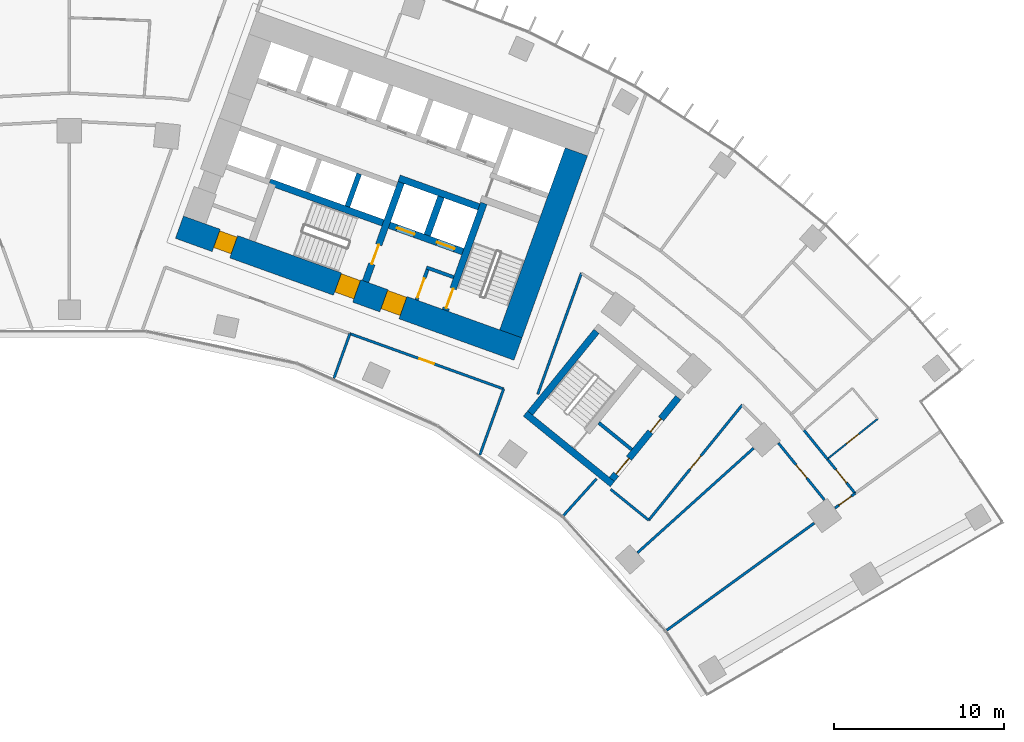
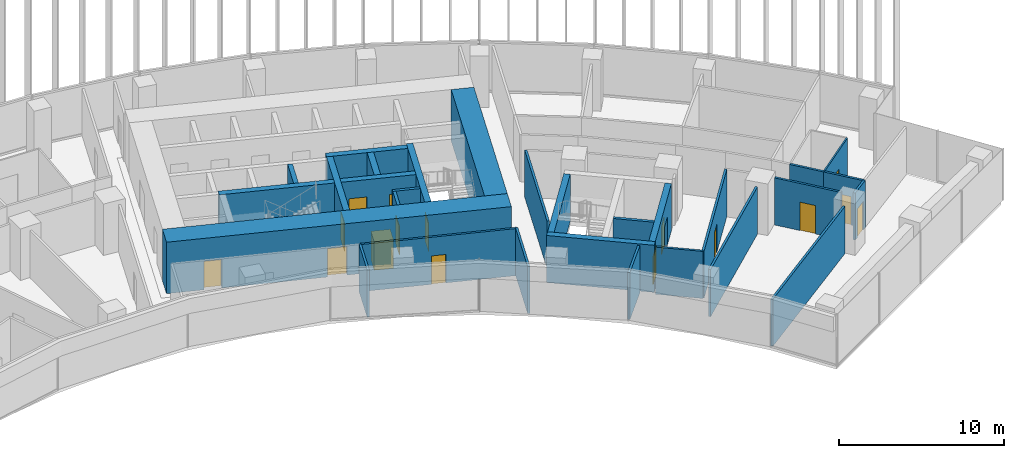
# One storey, part 18 of 22: 28 walls, 16 doors, 16 openings.
"""IFC4 building model written with IfcOpenShell, lengths in metres."""

import ifcopenshell
import ifcopenshell.guid

model = None  # the IFC model being written
_history = None  # IfcOwnerHistory: only IFC2X3 demands one
_inside = {}  # id of a spatial element -> (the spatial element, [elements in it])
_under = {}  # id of a project, library or spatial element -> (it, [spatial elements below it])
_declared = {}  # id of a project -> (the project, [libraries it declares])
_typed = {}  # id of a type object -> (the type object, [elements of that type])
_made_of = {}  # id of a material, layer set ... -> (it, [elements and type objects made of it])


def new_model(schema):
    """Start an empty IFC model of exactly this schema.

    Asked for "IFC4X3", IfcOpenShell would pick the latest addendum, in which some entities
    have other attributes; the version numbers below select the first issue.
    IFC2X3 requires an IfcOwnerHistory on every rooted entity: one is made here for all.
    """
    global model, _history
    if schema == "IFC4X3":
        model = ifcopenshell.file(schema_version=(4, 3, 0, 0))
    else:
        model = ifcopenshell.file(schema=schema)
    _inside.clear()
    _under.clear()
    _declared.clear()
    _typed.clear()
    _made_of.clear()
    _history = None
    if model.schema == "IFC2X3":
        org = make("IfcOrganization", Name="unknown")
        user = make(
            "IfcPersonAndOrganization",
            ThePerson=make("IfcPerson", FamilyName="unknown"),
            TheOrganization=org,
        )
        app = make(
            "IfcApplication",
            ApplicationDeveloper=org,
            Version="unknown",
            ApplicationFullName="unknown",
            ApplicationIdentifier="unknown",
        )
        _history = make(
            "IfcOwnerHistory",
            OwningUser=user,
            OwningApplication=app,
            ChangeAction="ADDED",
            CreationDate=0,
        )
    return model


def make(cls, **values):
    """One entity of the class cls with the attributes given. An attribute that is None is left unset."""
    return model.create_entity(
        cls, **{name: value for name, value in values.items() if value is not None}
    )


def rooted(cls, **values):
    """An entity with a GlobalId (a new one), such as an element, a storey or a relation."""
    return make(cls, GlobalId=ifcopenshell.guid.new(), OwnerHistory=_history, **values)


def si_unit(unit_type, name, prefix=None):
    """IfcSIUnit, for example si_unit("LENGTHUNIT", "METRE", prefix="MILLI")."""
    return make("IfcSIUnit", UnitType=unit_type, Prefix=prefix, Name=name)


def assignment(units):
    """IfcUnitAssignment: the units of a project."""
    return None if units is None else make("IfcUnitAssignment", Units=units)


def point(xyz):
    """IfcCartesianPoint."""
    return None if xyz is None else make("IfcCartesianPoint", Coordinates=xyz)


def direction(xyz):
    """IfcDirection."""
    return None if xyz is None else make("IfcDirection", DirectionRatios=xyz)


def frame(location, z_axis=None, x_axis=None):
    """IfcAxis2Placement3D, a coordinate frame: its origin and axes. An axis left out is left unset."""
    return make(
        "IfcAxis2Placement3D",
        Location=point(location),
        Axis=direction(z_axis),
        RefDirection=direction(x_axis),
    )


def frame_2d(location, x_axis=None):
    """IfcAxis2Placement2D, a coordinate frame in the plane: its origin and x axis."""
    return make(
        "IfcAxis2Placement2D", Location=point(location), RefDirection=direction(x_axis)
    )


def origin():
    """The frame at (0, 0, 0) with its axes left unset."""
    return frame((0.0, 0.0, 0.0))


def place(relative_to, where):
    """IfcLocalPlacement: puts the frame where relative to a parent placement (None: the world)."""
    return make(
        "IfcLocalPlacement", PlacementRelTo=relative_to, RelativePlacement=where
    )


def context(
    kind, dimensions, precision=None, world=None, true_north=None, identifier=None
):
    """IfcGeometricRepresentationContext, for example the 3D "Model" context."""
    return make(
        "IfcGeometricRepresentationContext",
        ContextIdentifier=identifier,
        ContextType=kind,
        CoordinateSpaceDimension=dimensions,
        Precision=precision,
        WorldCoordinateSystem=world,
        TrueNorth=true_north,
    )


def subcontext(parent, identifier, kind, view, scale=None):
    """IfcGeometricRepresentationSubContext, for example "Body" below "Model"."""
    return make(
        "IfcGeometricRepresentationSubContext",
        ContextIdentifier=identifier,
        ContextType=kind,
        ParentContext=parent,
        TargetScale=scale,
        TargetView=view,
    )


def project(units=None, contexts=None):
    """IfcProject with its units and contexts."""
    return rooted(
        "IfcProject",
        Name="project",
        RepresentationContexts=contexts,
        UnitsInContext=assignment(units),
    )


def spatial(cls, under=None, at=None, **own):
    """A site, building, storey or space (cls), placed at a placement, below another one or the project."""
    s = rooted(cls, ObjectPlacement=at, **own)
    if under is not None:
        _under.setdefault(under.id(), (under, []))[1].append(s)
    return s


def profile(cls, at=None, kind="AREA", **sizes):
    """A parametric profile (cls). Its sizes go by their IFC names, for example OverallWidth=200.0."""
    return make(cls, ProfileType=kind, Position=at, **sizes)


def rectangle(**sizes):
    """IfcRectangleProfileDef."""
    return profile("IfcRectangleProfileDef", **sizes)


def extrude(swept, where, along, depth):
    """IfcExtrudedAreaSolid: the profile swept, set in the frame where, extruded along a direction by depth."""
    return make(
        "IfcExtrudedAreaSolid",
        SweptArea=swept,
        Position=where,
        ExtrudedDirection=direction(along),
        Depth=depth,
    )


def shape(context_of_items, identifier, shape_type, items):
    """IfcShapeRepresentation: the items that make up one representation, for example the "Body"."""
    return make(
        "IfcShapeRepresentation",
        ContextOfItems=context_of_items,
        RepresentationIdentifier=identifier,
        RepresentationType=shape_type,
        Items=items,
    )


def material(Name=None, Category=None):
    """IfcMaterial."""
    return make("IfcMaterial", Name=Name, Category=Category)


def layer(
    of_material, thickness, ventilated=None, Name=None, Category=None, Priority=None
):
    """IfcMaterialLayer: one layer of a wall or slab, of a material (None: an air gap)."""
    return make(
        "IfcMaterialLayer",
        Material=of_material,
        LayerThickness=thickness,
        IsVentilated=ventilated,
        Name=Name,
        Category=Category,
        Priority=Priority,
    )


def layer_set(layers, Name=None):
    """IfcMaterialLayerSet."""
    return make("IfcMaterialLayerSet", MaterialLayers=layers, LayerSetName=Name)


def made_of(thing, what):
    """Note that an element or type object is made of a material, layer set ...; save() writes the relation."""
    if what is not None:
        _made_of.setdefault(what.id(), (what, []))[1].append(thing)
    return thing


def type_object(cls, material=None, **own):
    """A type object (cls), such as IfcWallType, which elements share."""
    return made_of(rooted(cls, **own), material)


def element(
    cls,
    number,
    at=None,
    inside=None,
    cuts=None,
    type_object=None,
    material=None,
    context=None,
    identifier="Body",
    shape_type=None,
    held_by="IfcProductDefinitionShape",
    body=None,
    shapes=None,
    **own,
):
    """One element of the class cls, such as IfcWall. Its Tag is "e" and its number.

    at: its placement. inside: the storey or other place that contains it. cuts: it is an
    opening in that element (IfcRelVoidsElement). A single representation is given by context,
    identifier, shape_type and body (its items); several are given by shapes. held_by: the class
    of the entity that holds the representations. save() writes the other relations.
    """
    e = rooted(cls, Tag="e%d" % number, ObjectPlacement=at, **own)
    if body is not None:
        shapes = [shape(context, identifier, shape_type, body)]
    if shapes is not None:
        e.Representation = make(held_by, Representations=shapes)
    if inside is not None:
        _inside.setdefault(inside.id(), (inside, []))[1].append(e)
    if cuts is not None:
        rooted(
            "IfcRelVoidsElement", RelatingBuildingElement=cuts, RelatedOpeningElement=e
        )
    if type_object is not None:
        _typed.setdefault(type_object.id(), (type_object, []))[1].append(e)
    return made_of(e, material)


def fill(opening, filler):
    """IfcRelFillsElement: the door or window that sits in an opening."""
    return rooted(
        "IfcRelFillsElement",
        RelatingOpeningElement=opening,
        RelatedBuildingElement=filler,
    )


def aggregate(whole, parts):
    """IfcRelAggregates: a whole, such as a stair, and the parts it consists of."""
    return rooted("IfcRelAggregates", RelatingObject=whole, RelatedObjects=parts)


def save(model, path):
    """Write the relations noted so far, then the file.

    IfcRelAggregates (storeys below a building ...), IfcRelContainedInSpatialStructure (elements
    in a storey), IfcRelDefinesByType, IfcRelAssociatesMaterial and IfcRelDeclares: one each for
    every whole, place, type object, material and project.
    """
    for whole, parts in _under.values():
        aggregate(whole, parts)
    for where, things in _inside.values():
        rooted(
            "IfcRelContainedInSpatialStructure",
            RelatedElements=things,
            RelatingStructure=where,
        )
    for kind, things in _typed.values():
        rooted("IfcRelDefinesByType", RelatedObjects=things, RelatingType=kind)
    for what, things in _made_of.values():
        rooted("IfcRelAssociatesMaterial", RelatedObjects=things, RelatingMaterial=what)
    for by, libraries in _declared.values():
        rooted("IfcRelDeclares", RelatingContext=by, RelatedDefinitions=libraries)
    model.write(path)


model = new_model("IFC4")

# Units and contexts
model_context = context("Model", 3, precision=1e-05, world=origin(), true_north=direction((0.0, 1.0)))
body_context = subcontext(model_context, "Body", "Model", "MODEL_VIEW")
ifc_project = project(units=[si_unit("LENGTHUNIT", "METRE"), si_unit("AREAUNIT", "SQUARE_METRE"), si_unit("VOLUMEUNIT", "CUBIC_METRE"), si_unit("PLANEANGLEUNIT", "RADIAN"), si_unit("MASSUNIT", "GRAM", prefix="KILO")], contexts=[model_context])

# Site, building, storey
site_placement = place(None, origin())
site = spatial("IfcSite", under=ifc_project, at=site_placement, CompositionType="ELEMENT")
building_placement = place(site_placement, origin())
building = spatial("IfcBuilding", under=site, at=building_placement, Name="Stone Belt Terrace Tower", CompositionType="ELEMENT")
storey_placement = place(building_placement, frame((0.0, 0.0, 109.800048828125)))
storey = spatial("IfcBuildingStorey", under=building, at=storey_placement, Name="L26", CompositionType="ELEMENT", Elevation=109.800048828125)

# Wall, openings, doors
ifc_material_1 = material(Name="Concrete B80", Category="concrete")
ifc_layer_1 = layer(ifc_material_1, 1.39990234375)
ifc_layer_set_1 = layer_set([ifc_layer_1], Name="Core wall 1400 B80")
wall_type_1 = type_object("IfcWallType", Name="Core wall 1400 B80", PredefinedType="SHEAR", material=ifc_layer_set_1)
wall_1_placement = place(storey_placement, frame((6.4833984375, 49.318115234375, 0.0), z_axis=(0.0, 0.0, 1.0), x_axis=(0.940923374003, -0.33861955681, 0.0)))
wall_1 = element("IfcWall", 1, at=wall_1_placement, inside=storey, type_object=wall_type_1, Name="Core B wall concave L26", PredefinedType="SHEAR", context=body_context, shape_type="SweptSolid", body=[
    extrude(rectangle(XDim=21.199951171875, YDim=1.39990234375, at=frame_2d((10.60009765625, 0.0))), origin(), (0.0, 0.0, 1.0), 3.800048828125),
])
opening_1_placement = place(wall_1_placement, frame((12.800048828125, 0.0, 0.0)))
opening_1 = element("IfcOpeningElement", 2, at=opening_1_placement, cuts=wall_1, Name="Opening L26-C14", PredefinedType="OPENING", context=body_context, shape_type="SweptSolid", body=[
    extrude(rectangle(XDim=1.199951171875, YDim=2.10009765625, at=frame_2d((0.60009765625, 1.050048828125))), frame((0.0, 0.7099609375, 0.0), z_axis=(0.0, -1.0, 0.0), x_axis=(1.0, 0.0, 0.0)), (0.0, 0.0, 1.0), 1.419921875),
])
opening_2_placement = place(wall_1_placement, frame((9.89990234375, 0.0, 0.0)))
opening_2 = element("IfcOpeningElement", 3, at=opening_2_placement, cuts=wall_1, Name="Opening L26-C16", PredefinedType="OPENING", context=body_context, shape_type="SweptSolid", body=[
    extrude(rectangle(XDim=1.199951171875, YDim=2.10009765625, at=frame_2d((0.60009765625, 1.050048828125))), frame((0.0, 0.7099609375, 0.0), z_axis=(0.0, -1.0, 0.0), x_axis=(1.0, 0.0, 0.0)), (0.0, 0.0, 1.0), 1.419921875),
])
opening_3_placement = place(wall_1_placement, frame((2.300048828125, 0.0, 0.0)))
opening_3 = element("IfcOpeningElement", 4, at=opening_3_placement, cuts=wall_1, Name="Opening L26-C18", PredefinedType="OPENING", context=body_context, shape_type="SweptSolid", body=[
    extrude(rectangle(XDim=1.10009765625, YDim=2.10009765625, at=frame_2d((0.550048828125, 1.050048828125))), frame((0.0, 0.7099609375, 0.0), z_axis=(0.0, -1.0, 0.0), x_axis=(1.0, 0.0, 0.0)), (0.0, 0.0, 1.0), 1.419921875),
])
ifc_material_2 = material(Name="Timber door leaf", Category="wood")
door_type_1 = type_object("IfcDoorType", Name="Core room door 1100", OperationType="SINGLE_SWING_LEFT", PredefinedType="DOOR", material=ifc_material_2)
door_1_placement = place(opening_3_placement, origin())
door_1 = element("IfcDoor", 5, at=door_1_placement, inside=storey, type_object=door_type_1, Name="Door to Pipe riser core B", OperationType="SINGLE_SWING_RIGHT", OverallHeight=2.10009765625, OverallWidth=1.10009765625, PredefinedType="DOOR", context=body_context, shape_type="SweptSolid", body=[
    extrude(rectangle(XDim=1.10009765625, YDim=2.10009765625, at=frame_2d((0.550048828125, 1.050048828125))), frame((0.0, 0.60498046875, 0.0), z_axis=(0.0, -1.0, 0.0), x_axis=(1.0, 0.0, 0.0)), (0.0, 0.0, 1.0), 1.050048828125),
])
fill(opening_3, door_1)
ifc_material_3 = material(Name="Steel door leaf", Category="steel")
door_type_2 = type_object("IfcDoorType", Name="Fire-fighting lobby door 1200", OperationType="SINGLE_SWING_LEFT", PredefinedType="DOOR", material=ifc_material_3)
door_2_placement = place(opening_1_placement, origin())
door_2 = element("IfcDoor", 6, at=door_2_placement, inside=storey, type_object=door_type_2, Name="Fire-fighting lobby door core B", OperationType="SINGLE_SWING_RIGHT", OverallHeight=2.10009765625, OverallWidth=1.199951171875, PredefinedType="DOOR", context=body_context, shape_type="SweptSolid", body=[
    extrude(rectangle(XDim=1.199951171875, YDim=2.10009765625, at=frame_2d((0.60009765625, 1.050048828125))), frame((0.0, 0.655029296875, 0.0), z_axis=(0.0, -1.0, 0.0), x_axis=(1.0, 0.0, 0.0)), (0.0, 0.0, 1.0), 1.14990234375),
])
fill(opening_1, door_2)
door_type_3 = type_object("IfcDoorType", Name="Stair door 1200", OperationType="SINGLE_SWING_LEFT", PredefinedType="DOOR", material=ifc_material_3)
door_3_placement = place(opening_2_placement, origin())
door_3 = element("IfcDoor", 7, at=door_3_placement, inside=storey, type_object=door_type_3, Name="Stair 2 exit door core B", OperationType="SINGLE_SWING_LEFT", OverallHeight=2.10009765625, OverallWidth=1.199951171875, PredefinedType="DOOR", context=body_context, shape_type="SweptSolid", body=[
    extrude(rectangle(XDim=1.199951171875, YDim=2.10009765625, at=frame_2d((0.60009765625, 1.050048828125))), frame((0.0, 0.655029296875, 0.0), z_axis=(0.0, -1.0, 0.0), x_axis=(1.0, 0.0, 0.0)), (0.0, 0.0, 1.0), 1.14990234375),
])
fill(opening_2, door_3)

# Walls
wall_2_placement = place(storey_placement, frame((26.00927734375, 43.03515625, 0.0), z_axis=(0.0, 0.0, 1.0), x_axis=(0.338625431531, 0.940921259788, 0.0)))
element("IfcWall", 8, at=wall_2_placement, inside=storey, type_object=wall_type_1, Name="Core B wall end_b L26", PredefinedType="SHEAR", context=body_context, shape_type="SweptSolid", body=[
    extrude(rectangle(XDim=11.400146484375, YDim=1.39990234375, at=frame_2d((5.7001953125, 0.0))), origin(), (0.0, 0.0, 1.0), 3.800048828125),
])
ifc_layer_2 = layer(ifc_material_1, 0.39990234375)
ifc_layer_set_2 = layer_set([ifc_layer_2], Name="Fire-fighting lift shaft wall 400")
wall_type_2 = type_object("IfcWallType", Name="Fire-fighting lift shaft wall 400", PredefinedType="SHEAR", material=ifc_layer_set_2)
wall_3_placement = place(storey_placement, frame((24.130615234375, 50.512939453125, 0.0), z_axis=(0.0, 0.0, 1.0), x_axis=(-0.94091168377, 0.338652038744, 0.0)))
element("IfcWall", 9, at=wall_3_placement, inside=storey, type_object=wall_type_2, Name="Core B wall", PredefinedType="SHEAR", context=body_context, shape_type="SweptSolid", body=[
    extrude(rectangle(XDim=5.000244140625, YDim=0.39990234375, at=frame_2d((2.5, 0.0))), origin(), (0.0, 0.0, 1.0), 3.47998046875),
])
wall_4_placement = place(storey_placement, frame((21.0859375, 48.845458984375, 0.0), z_axis=(0.0, 0.0, 1.0), x_axis=(0.338629416206, 0.940919825745, 0.0)))
element("IfcWall", 10, at=wall_4_placement, inside=storey, type_object=wall_type_2, Name="Core B wall", PredefinedType="SHEAR", context=body_context, shape_type="SweptSolid", body=[
    extrude(rectangle(XDim=2.400146484375, YDim=0.39990234375, at=frame_2d((1.2001953125, 0.0))), origin(), (0.0, 0.0, 1.0), 3.47998046875),
])
ifc_layer_3 = layer(ifc_material_1, 0.300048828125)
ifc_layer_set_3 = layer_set([ifc_layer_3], Name="Lift shaft wall 300")
wall_type_3 = type_object("IfcWallType", Name="Lift shaft wall 300", PredefinedType="SHEAR", material=ifc_layer_set_3)
wall_5_placement = place(storey_placement, frame((16.38134765625, 50.53857421875, 0.0), z_axis=(0.0, 0.0, 1.0), x_axis=(0.338681515556, 0.940901073982, 0.0)))
element("IfcWall", 11, at=wall_5_placement, inside=storey, type_object=wall_type_3, Name="Core B wall", PredefinedType="SHEAR", context=body_context, shape_type="SweptSolid", body=[
    extrude(rectangle(XDim=2.050048828125, YDim=0.300048828125, at=frame_2d((1.02490234375, 0.0))), origin(), (0.0, 0.0, 1.0), 3.47998046875),
])

# Wall, opening, door
ifc_material_4 = material(Name="Gypsum board partition")
ifc_layer_4 = layer(ifc_material_4, 0.10009765625)
ifc_layer_set_4 = layer_set([ifc_layer_4], Name="PARTITION 100")
wall_type_4 = type_object("IfcWallType", Name="PARTITION 100", PredefinedType="PARTITIONING", material=ifc_layer_set_4)
wall_6_placement = place(storey_placement, frame((44.657958984375, 35.658935546875, 0.0), z_axis=(0.0, 0.0, 1.0), x_axis=(0.781420349755, 0.624004997567, 0.0)))
wall_6 = element("IfcWall", 12, at=wall_6_placement, inside=storey, type_object=wall_type_4, Name="L26/wall/i080", PredefinedType="PARTITIONING", context=body_context, shape_type="SweptSolid", body=[
    extrude(rectangle(XDim=3.79833984375, YDim=0.10009765625, at=frame_2d((1.899169921875, 0.0))), origin(), (0.0, 0.0, 1.0), 3.47998046875),
])
opening_4_placement = place(wall_6_placement, frame((1.448974609375, 0.0, 0.0)))
opening_4 = element("IfcOpeningElement", 13, at=opening_4_placement, cuts=wall_6, Name="Opening D-B3-25", PredefinedType="OPENING", context=body_context, shape_type="SweptSolid", body=[
    extrude(rectangle(XDim=0.89990234375, YDim=2.10009765625, at=frame_2d((0.449951171875, 1.050048828125))), frame((0.0, 0.06005859375, 0.0), z_axis=(0.0, -1.0, 0.0), x_axis=(1.0, 0.0, 0.0)), (0.0, 0.0, 1.0), 0.1201171875),
])
door_type_4 = type_object("IfcDoorType", Name="OFFICE DOOR 900 X 2100", OperationType="NOTDEFINED", PredefinedType="DOOR", material=ifc_material_2)
door_4_placement = place(opening_4_placement, origin())
door_4 = element("IfcDoor", 14, at=door_4_placement, inside=storey, type_object=door_type_4, Name="L26/door/i25", OperationType="SINGLE_SWING_RIGHT", OverallHeight=2.10009765625, OverallWidth=0.89990234375, PredefinedType="DOOR", context=body_context, shape_type="SweptSolid", body=[
    extrude(rectangle(XDim=0.89990234375, YDim=2.10009765625, at=frame_2d((0.449951171875, 1.050048828125))), frame((0.0, 0.02490234375, 0.0), z_axis=(0.0, -1.0, 0.0), x_axis=(1.0, 0.0, 0.0)), (0.0, 0.0, 1.0), 0.050048828125),
])
fill(opening_4, door_4)

# Walls
ifc_layer_5 = layer(ifc_material_4, 0.14990234375)
ifc_layer_set_5 = layer_set([ifc_layer_5], Name="PARTITION 150 EI 60")
wall_type_5 = type_object("IfcWallType", Name="PARTITION 150 EI 60", PredefinedType="PARTITIONING", material=ifc_layer_set_5)
wall_7_placement = place(storey_placement, frame((24.18603515625, 35.902099609375, 0.0), z_axis=(0.0, 0.0, 1.0), x_axis=(0.338545933013, 0.940949866486, 0.0)))
element("IfcWall", 15, at=wall_7_placement, inside=storey, type_object=wall_type_5, Name="L26/wall/i018", PredefinedType="PARTITIONING", context=body_context, shape_type="SweptSolid", body=[
    extrude(rectangle(XDim=4.135009765625, YDim=0.14990234375, at=frame_2d((2.0673828125, 0.0))), origin(), (0.0, 0.0, 1.0), 3.47998046875),
])
wall_8_placement = place(storey_placement, frame((30.1669921875, 46.612060546875, 0.0), z_axis=(0.0, 0.0, 1.0), x_axis=(-0.338694393991, -0.940896438233, 0.0)))
element("IfcWall", 16, at=wall_8_placement, inside=storey, type_object=wall_type_5, Name="L26/wall/i020", PredefinedType="PARTITIONING", context=body_context, shape_type="SweptSolid", body=[
    extrude(rectangle(XDim=7.585205078125, YDim=0.14990234375, at=frame_2d((3.79248046875, 0.0))), origin(), (0.0, 0.0, 1.0), 3.47998046875),
])
wall_9_placement = place(storey_placement, frame((31.054931640625, 34.489990234375, 0.0), z_axis=(0.0, 0.0, 1.0), x_axis=(-0.669108362487, -0.743164853347, 0.0)))
element("IfcWall", 17, at=wall_9_placement, inside=storey, type_object=wall_type_5, Name="L26/wall/i021", PredefinedType="PARTITIONING", context=body_context, shape_type="SweptSolid", body=[
    extrude(rectangle(XDim=2.910888671875, YDim=0.14990234375, at=frame_2d((1.45556640625, 0.0))), origin(), (0.0, 0.0, 1.0), 3.47998046875),
])

# Wall, opening, door
wall_10_placement = place(storey_placement, frame((25.583984375, 39.787109375, 0.0), z_axis=(0.0, 0.0, 1.0), x_axis=(-0.940920049303, 0.338628795025, 0.0)))
wall_10 = element("IfcWall", 18, at=wall_10_placement, inside=storey, type_object=wall_type_5, Name="L26/wall/i025", PredefinedType="PARTITIONING", context=body_context, shape_type="SweptSolid", body=[
    extrude(rectangle(XDim=9.6298828125, YDim=0.14990234375, at=frame_2d((4.81494140625, 0.0))), origin(), (0.0, 0.0, 1.0), 3.47998046875),
])
opening_5_placement = place(wall_10_placement, frame((4.364990234375, 0.0, 0.0)))
opening_5 = element("IfcOpeningElement", 19, at=opening_5_placement, cuts=wall_10, Name="Opening D-B3-06", PredefinedType="OPENING", context=body_context, shape_type="SweptSolid", body=[
    extrude(rectangle(XDim=0.89990234375, YDim=2.10009765625, at=frame_2d((0.449951171875, 1.050048828125))), frame((0.0, 0.0849609375, 0.0), z_axis=(0.0, -1.0, 0.0), x_axis=(1.0, 0.0, 0.0)), (0.0, 0.0, 1.0), 0.169921875),
])
door_5_placement = place(opening_5_placement, origin())
door_5 = element("IfcDoor", 20, at=door_5_placement, inside=storey, type_object=door_type_4, Name="L26/door/i06", OperationType="SINGLE_SWING_RIGHT", OverallHeight=2.10009765625, OverallWidth=0.89990234375, PredefinedType="DOOR", context=body_context, shape_type="SweptSolid", body=[
    extrude(rectangle(XDim=0.89990234375, YDim=2.10009765625, at=frame_2d((0.449951171875, 1.050048828125))), frame((0.0, 0.02490234375, 0.0), z_axis=(0.0, -1.0, 0.0), x_axis=(1.0, 0.0, 0.0)), (0.0, 0.0, 1.0), 0.050048828125),
])
fill(opening_5, door_5)

# Wall
wall_11_placement = place(storey_placement, frame((16.529052734375, 43.0458984375, 0.0), z_axis=(0.0, 0.0, 1.0), x_axis=(-0.338428517888, -0.940992103198, 0.0)))
element("IfcWall", 21, at=wall_11_placement, inside=storey, type_object=wall_type_5, Name="L26/wall/i026", PredefinedType="PARTITIONING", context=body_context, shape_type="SweptSolid", body=[
    extrude(rectangle(XDim=2.793212890625, YDim=0.14990234375, at=frame_2d((1.396484375, 0.0))), origin(), (0.0, 0.0, 1.0), 3.47998046875),
])

# Wall, opening, door
wall_12_placement = place(storey_placement, frame((46.301025390625, 33.638916015625, 0.0), z_axis=(0.0, 0.0, 1.0), x_axis=(-0.809407972322, -0.587246740597, 0.0)))
wall_12 = element("IfcWall", 22, at=wall_12_placement, inside=storey, type_object=wall_type_5, Name="L26/wall/i050", PredefinedType="PARTITIONING", context=body_context, shape_type="SweptSolid", body=[
    extrude(rectangle(XDim=1.475830078125, YDim=0.14990234375, at=frame_2d((0.73779296875, 0.0))), origin(), (0.0, 0.0, 1.0), 3.47998046875),
])
opening_6_placement = place(wall_12_placement, frame((0.287841796875, 0.0, 0.0)))
opening_6 = element("IfcOpeningElement", 23, at=opening_6_placement, cuts=wall_12, Name="Opening D-B3-16", PredefinedType="OPENING", context=body_context, shape_type="SweptSolid", body=[
    extrude(rectangle(XDim=0.89990234375, YDim=2.10009765625, at=frame_2d((0.449951171875, 1.050048828125))), frame((0.0, 0.0849609375, 0.0), z_axis=(0.0, -1.0, 0.0), x_axis=(1.0, 0.0, 0.0)), (0.0, 0.0, 1.0), 0.169921875),
])
door_6_placement = place(opening_6_placement, origin())
door_6 = element("IfcDoor", 24, at=door_6_placement, inside=storey, type_object=door_type_4, Name="L26/door/i16", OperationType="SINGLE_SWING_RIGHT", OverallHeight=2.10009765625, OverallWidth=0.89990234375, PredefinedType="DOOR", context=body_context, shape_type="SweptSolid", body=[
    extrude(rectangle(XDim=0.89990234375, YDim=2.10009765625, at=frame_2d((0.449951171875, 1.050048828125))), frame((0.0, 0.02490234375, 0.0), z_axis=(0.0, -1.0, 0.0), x_axis=(1.0, 0.0, 0.0)), (0.0, 0.0, 1.0), 0.050048828125),
])
fill(opening_6, door_6)

# Wall
wall_13_placement = place(storey_placement, frame((35.192138671875, 25.568115234375, 0.0), z_axis=(0.0, 0.0, 1.0), x_axis=(0.809024841759, 0.587774451143, 0.0)))
element("IfcWall", 25, at=wall_13_placement, inside=storey, type_object=wall_type_5, Name="L26/wall/i051", PredefinedType="PARTITIONING", context=body_context, shape_type="SweptSolid", body=[
    extrude(rectangle(XDim=10.745361328125, YDim=0.14990234375, at=frame_2d((5.37255859375, 0.0))), origin(), (0.0, 0.0, 1.0), 3.47998046875),
])

# Wall, opening, door
wall_14_placement = place(storey_placement, frame((44.485107421875, 33.253662109375, 0.0), z_axis=(0.0, 0.0, 1.0), x_axis=(-0.629214542808, 0.777231663739, 0.0)))
wall_14 = element("IfcWall", 26, at=wall_14_placement, inside=storey, type_object=wall_type_5, Name="L26/wall/i059", PredefinedType="PARTITIONING", context=body_context, shape_type="SweptSolid", body=[
    extrude(rectangle(XDim=4.304931640625, YDim=0.14990234375, at=frame_2d((2.15234375, 0.0))), origin(), (0.0, 0.0, 1.0), 3.47998046875),
])
opening_7_placement = place(wall_14_placement, frame((1.652587890625, 0.0, 0.0)))
opening_7 = element("IfcOpeningElement", 27, at=opening_7_placement, cuts=wall_14, Name="Opening D-B3-19", PredefinedType="OPENING", context=body_context, shape_type="SweptSolid", body=[
    extrude(rectangle(XDim=1.0, YDim=2.10009765625, at=frame_2d((0.5, 1.050048828125))), frame((0.0, 0.0849609375, 0.0), z_axis=(0.0, -1.0, 0.0), x_axis=(1.0, 0.0, 0.0)), (0.0, 0.0, 1.0), 0.169921875),
])
ifc_material_5 = material(Name="Timber fire door leaf", Category="wood")
door_type_5 = type_object("IfcDoorType", Name="TENANCY ENTRANCE DOOR 1000 X 2100", OperationType="NOTDEFINED", PredefinedType="DOOR", material=ifc_material_5)
door_7_placement = place(opening_7_placement, origin())
door_7 = element("IfcDoor", 28, at=door_7_placement, inside=storey, type_object=door_type_5, Name="L26/door/i19", OperationType="SINGLE_SWING_RIGHT", OverallHeight=2.10009765625, OverallWidth=1.0, PredefinedType="DOOR", context=body_context, shape_type="SweptSolid", body=[
    extrude(rectangle(XDim=1.0, YDim=2.10009765625, at=frame_2d((0.5, 1.050048828125))), frame((0.0, 0.02490234375, 0.0), z_axis=(0.0, -1.0, 0.0), x_axis=(1.0, 0.0, 0.0)), (0.0, 0.0, 1.0), 0.050048828125),
])
fill(opening_7, door_7)

wall_15_placement = place(storey_placement, frame((44.654052734375, 35.6630859375, 0.0), z_axis=(0.0, 0.0, 1.0), x_axis=(0.629397440797, -0.777083561477, 0.0)))
wall_15 = element("IfcWall", 29, at=wall_15_placement, inside=storey, type_object=wall_type_5, Name="L26/wall/i062", PredefinedType="PARTITIONING", context=body_context, shape_type="SweptSolid", body=[
    extrude(rectangle(XDim=2.608642578125, YDim=0.14990234375, at=frame_2d((1.30419921875, 0.0))), origin(), (0.0, 0.0, 1.0), 3.47998046875),
])
opening_8_placement = place(wall_15_placement, frame((0.80419921875, 0.0, 0.0)))
opening_8 = element("IfcOpeningElement", 30, at=opening_8_placement, cuts=wall_15, Name="Opening D-B3-24", PredefinedType="OPENING", context=body_context, shape_type="SweptSolid", body=[
    extrude(rectangle(XDim=1.0, YDim=2.10009765625, at=frame_2d((0.5, 1.050048828125))), frame((0.0, 0.0849609375, 0.0), z_axis=(0.0, -1.0, 0.0), x_axis=(1.0, 0.0, 0.0)), (0.0, 0.0, 1.0), 0.169921875),
])
door_8_placement = place(opening_8_placement, origin())
door_8 = element("IfcDoor", 31, at=door_8_placement, inside=storey, type_object=door_type_5, Name="L26/door/i24", OperationType="SINGLE_SWING_RIGHT", OverallHeight=2.10009765625, OverallWidth=1.0, PredefinedType="DOOR", context=body_context, shape_type="SweptSolid", body=[
    extrude(rectangle(XDim=1.0, YDim=2.10009765625, at=frame_2d((0.5, 1.050048828125))), frame((0.0, 0.02490234375, 0.0), z_axis=(0.0, -1.0, 0.0), x_axis=(1.0, 0.0, 0.0)), (0.0, 0.0, 1.0), 0.050048828125),
])
fill(opening_8, door_8)

# Wall
wall_16_placement = place(storey_placement, frame((43.27490234375, 37.365966796875, 0.0), z_axis=(0.0, 0.0, 1.0), x_axis=(0.629239678962, -0.777211313878, 0.0)))
element("IfcWall", 32, at=wall_16_placement, inside=storey, type_object=wall_type_5, Name="L26/wall/i063", PredefinedType="PARTITIONING", context=body_context, shape_type="SweptSolid", body=[
    extrude(rectangle(XDim=2.20263671875, YDim=0.14990234375, at=frame_2d((1.101318359375, 0.0))), origin(), (0.0, 0.0, 1.0), 3.47998046875),
])

# Wall, opening, door
wall_17_placement = place(storey_placement, frame((39.64599609375, 38.84912109375, 0.0), z_axis=(0.0, 0.0, 1.0), x_axis=(-0.630141823003, -0.776480059566, 0.0)))
wall_17 = element("IfcWall", 33, at=wall_17_placement, inside=storey, type_object=wall_type_5, Name="L26/wall/i065", PredefinedType="PARTITIONING", context=body_context, shape_type="SweptSolid", body=[
    extrude(rectangle(XDim=8.748779296875, YDim=0.14990234375, at=frame_2d((4.37451171875, 0.0))), origin(), (0.0, 0.0, 1.0), 3.47998046875),
])
opening_9_placement = place(wall_17_placement, frame((3.874267578125, 0.0, 0.0)))
opening_9 = element("IfcOpeningElement", 34, at=opening_9_placement, cuts=wall_17, Name="Opening D-B3-18", PredefinedType="OPENING", context=body_context, shape_type="SweptSolid", body=[
    extrude(rectangle(XDim=1.0, YDim=2.10009765625, at=frame_2d((0.5, 1.050048828125))), frame((0.0, 0.0849609375, 0.0), z_axis=(0.0, -1.0, 0.0), x_axis=(1.0, 0.0, 0.0)), (0.0, 0.0, 1.0), 0.169921875),
])
door_9_placement = place(opening_9_placement, origin())
door_9 = element("IfcDoor", 35, at=door_9_placement, inside=storey, type_object=door_type_5, Name="L26/door/i18", OperationType="SINGLE_SWING_RIGHT", OverallHeight=2.10009765625, OverallWidth=1.0, PredefinedType="DOOR", context=body_context, shape_type="SweptSolid", body=[
    extrude(rectangle(XDim=1.0, YDim=2.10009765625, at=frame_2d((0.5, 1.050048828125))), frame((0.0, 0.02490234375, 0.0), z_axis=(0.0, -1.0, 0.0), x_axis=(1.0, 0.0, 0.0)), (0.0, 0.0, 1.0), 0.050048828125),
])
fill(opening_9, door_9)

# Walls
wall_18_placement = place(storey_placement, frame((34.133056640625, 32.055908203125, 0.0), z_axis=(0.0, 0.0, 1.0), x_axis=(-0.776369956068, 0.630277471686, 0.0)))
element("IfcWall", 36, at=wall_18_placement, inside=storey, type_object=wall_type_5, Name="L26/wall/i066", PredefinedType="PARTITIONING", context=body_context, shape_type="SweptSolid", body=[
    extrude(rectangle(XDim=2.8876953125, YDim=0.14990234375, at=frame_2d((1.44384765625, 0.0))), origin(), (0.0, 0.0, 1.0), 3.47998046875),
])
wall_19_placement = place(storey_placement, frame((40.311767578125, 36.297119140625, 0.0), z_axis=(0.0, 0.0, 1.0), x_axis=(-0.74312513137, -0.669152478233, 0.0)))
element("IfcWall", 37, at=wall_19_placement, inside=storey, type_object=wall_type_5, Name="L26/wall/i067", PredefinedType="PARTITIONING", context=body_context, shape_type="SweptSolid", body=[
    extrude(rectangle(XDim=9.195068359375, YDim=0.14990234375, at=frame_2d((4.59765625, 0.0))), origin(), (0.0, 0.0, 1.0), 3.47998046875),
])
ifc_material_6 = material(Name="Concrete masonry block", Category="masonry")
ifc_layer_6 = layer(ifc_material_6, 0.199951171875)
ifc_layer_set_6 = layer_set([ifc_layer_6], Name="Rated lobby wall 200")
wall_type_6 = type_object("IfcWallType", Name="Rated lobby wall 200", PredefinedType="PARTITIONING", material=ifc_layer_set_6)
wall_20_placement = place(storey_placement, frame((22.640625, 46.373046875, 0.0), z_axis=(0.0, 0.0, 1.0), x_axis=(-0.940966110313, 0.338500781747, 0.0)))
element("IfcWall", 38, at=wall_20_placement, inside=storey, type_object=wall_type_6, Name="Core B wall", PredefinedType="PARTITIONING", context=body_context, shape_type="SweptSolid", body=[
    extrude(rectangle(XDim=1.699951171875, YDim=0.199951171875, at=frame_2d((0.85009765625, 0.0))), origin(), (0.0, 0.0, 1.0), 3.47998046875),
])

# Wall, opening, door
wall_21_placement = place(storey_placement, frame((20.4580078125, 45.032958984375, 0.0), z_axis=(0.0, 0.0, 1.0), x_axis=(0.338573865316, 0.940939816208, 0.0)))
wall_21 = element("IfcWall", 39, at=wall_21_placement, inside=storey, type_object=wall_type_6, Name="Core B wall", PredefinedType="PARTITIONING", context=body_context, shape_type="SweptSolid", body=[
    extrude(rectangle(XDim=1.900146484375, YDim=0.199951171875, at=frame_2d((0.9501953125, 0.0))), origin(), (0.0, 0.0, 1.0), 3.47998046875),
])
opening_10_placement = place(wall_21_placement, frame((0.14990234375, 0.0, 0.0)))
opening_10 = element("IfcOpeningElement", 40, at=opening_10_placement, cuts=wall_21, Name="Opening L26-C13", PredefinedType="OPENING", context=body_context, shape_type="SweptSolid", body=[
    extrude(rectangle(XDim=1.199951171875, YDim=2.10009765625, at=frame_2d((0.60009765625, 1.050048828125))), frame((0.0, 0.10986328125, 0.0), z_axis=(0.0, -1.0, 0.0), x_axis=(1.0, 0.0, 0.0)), (0.0, 0.0, 1.0), 0.219970703125),
])
door_10_placement = place(opening_10_placement, origin())
door_10 = element("IfcDoor", 41, at=door_10_placement, inside=storey, type_object=door_type_3, Name="Stair airlock door core B", OperationType="SINGLE_SWING_RIGHT", OverallHeight=2.10009765625, OverallWidth=1.199951171875, PredefinedType="DOOR", context=body_context, shape_type="SweptSolid", body=[
    extrude(rectangle(XDim=1.199951171875, YDim=2.10009765625, at=frame_2d((0.60009765625, 1.050048828125))), frame((0.0, 0.02490234375, 0.0), z_axis=(0.0, -1.0, 0.0), x_axis=(1.0, 0.0, 0.0)), (0.0, 0.0, 1.0), 0.050048828125),
])
fill(opening_10, door_10)

# Wall
wall_22_placement = place(storey_placement, frame((31.190673828125, 37.79296875, 0.0), z_axis=(0.0, 0.0, 1.0), x_axis=(0.776370830301, -0.630276394813, 0.0)))
element("IfcWall", 42, at=wall_22_placement, inside=storey, type_object=wall_type_6, Name="Exit stair ST3B wall", PredefinedType="PARTITIONING", context=body_context, shape_type="SweptSolid", body=[
    extrude(rectangle(XDim=2.5, YDim=0.199951171875, at=frame_2d((1.25, 0.0))), origin(), (0.0, 0.0, 1.0), 3.47998046875),
])

# Wall, opening, door
ifc_layer_7 = layer(ifc_material_1, 0.39990234375)
ifc_layer_set_7 = layer_set([ifc_layer_7], Name="Stair enclosure wall 400")
wall_type_7 = type_object("IfcWallType", Name="Stair enclosure wall 400", PredefinedType="SHEAR", material=ifc_layer_set_7)
wall_23_placement = place(storey_placement, frame((22.151611328125, 44.42333984375, 0.0), z_axis=(0.0, 0.0, 1.0), x_axis=(0.338625272931, 0.940921316866, 0.0)))
wall_23 = element("IfcWall", 43, at=wall_23_placement, inside=storey, type_object=wall_type_7, Name="Core B wall", PredefinedType="SHEAR", context=body_context, shape_type="SweptSolid", body=[
    extrude(rectangle(XDim=6.699951171875, YDim=0.39990234375, at=frame_2d((3.35009765625, 0.0))), origin(), (0.0, 0.0, 1.0), 3.47998046875),
])
opening_11_placement = place(wall_23_placement, frame((0.14990234375, 0.0, 0.0)))
opening_11 = element("IfcOpeningElement", 44, at=opening_11_placement, cuts=wall_23, Name="Opening L26-C12", PredefinedType="OPENING", context=body_context, shape_type="SweptSolid", body=[
    extrude(rectangle(XDim=1.199951171875, YDim=2.10009765625, at=frame_2d((0.60009765625, 1.050048828125))), frame((0.0, 0.2099609375, 0.0), z_axis=(0.0, -1.0, 0.0), x_axis=(1.0, 0.0, 0.0)), (0.0, 0.0, 1.0), 0.419921875),
])
door_11_placement = place(opening_11_placement, origin())
door_11 = element("IfcDoor", 45, at=door_11_placement, inside=storey, type_object=door_type_3, Name="Stair 1 door core B", OperationType="SINGLE_SWING_RIGHT", OverallHeight=2.10009765625, OverallWidth=1.199951171875, PredefinedType="DOOR", context=body_context, shape_type="SweptSolid", body=[
    extrude(rectangle(XDim=1.199951171875, YDim=2.10009765625, at=frame_2d((0.60009765625, 1.050048828125))), frame((0.0, 0.02490234375, 0.0), z_axis=(0.0, -1.0, 0.0), x_axis=(1.0, 0.0, 0.0)), (0.0, 0.0, 1.0), 0.050048828125),
])
fill(opening_11, door_11)

# Wall, openings, doors
wall_24_placement = place(storey_placement, frame((23.182373046875, 47.87841796875, 0.0), z_axis=(0.0, 0.0, 1.0), x_axis=(-0.940921101762, 0.338625870628, 0.0)))
wall_24 = element("IfcWall", 46, at=wall_24_placement, inside=storey, type_object=wall_type_7, Name="Core B wall", PredefinedType="SHEAR", context=body_context, shape_type="SweptSolid", body=[
    extrude(rectangle(XDim=12.10009765625, YDim=0.39990234375, at=frame_2d((6.050048828125, 0.0))), origin(), (0.0, 0.0, 1.0), 3.47998046875),
])
opening_12_placement = place(wall_24_placement, frame((0.52001953125, 0.0, 0.0)))
opening_12 = element("IfcOpeningElement", 47, at=opening_12_placement, cuts=wall_24, Name="Opening L26-LD16", PredefinedType="OPENING", context=body_context, shape_type="SweptSolid", body=[
    extrude(rectangle(XDim=1.10009765625, YDim=2.199951171875, at=frame_2d((0.550048828125, 1.10009765625))), frame((0.0, 0.2099609375, 0.0), z_axis=(0.0, -1.0, 0.0), x_axis=(1.0, 0.0, 0.0)), (0.0, 0.0, 1.0), 0.419921875),
])
opening_13_placement = place(wall_24_placement, frame((3.02001953125, 0.0, 0.0)))
opening_13 = element("IfcOpeningElement", 48, at=opening_13_placement, cuts=wall_24, Name="Opening L26-LD17", PredefinedType="OPENING", context=body_context, shape_type="SweptSolid", body=[
    extrude(rectangle(XDim=1.10009765625, YDim=2.199951171875, at=frame_2d((0.550048828125, 1.10009765625))), frame((0.0, 0.2099609375, 0.0), z_axis=(0.0, -1.0, 0.0), x_axis=(1.0, 0.0, 0.0)), (0.0, 0.0, 1.0), 0.419921875),
])
ifc_material_7 = material(Name="Stainless steel door leaf", Category="steel")
door_type_6 = type_object("IfcDoorType", Name="Landing door 1100", OperationType="SLIDING_TO_LEFT", PredefinedType="DOOR", material=ifc_material_7)
door_12_placement = place(opening_12_placement, origin())
door_12 = element("IfcDoor", 49, at=door_12_placement, inside=storey, type_object=door_type_6, Name="Landing door FF1 core B", OperationType="SLIDING_TO_LEFT", OverallHeight=2.199951171875, OverallWidth=1.10009765625, PredefinedType="DOOR", context=body_context, shape_type="SweptSolid", body=[
    extrude(rectangle(XDim=1.10009765625, YDim=2.199951171875, at=frame_2d((0.550048828125, 1.10009765625))), frame((0.0, 0.02490234375, 0.0), z_axis=(0.0, -1.0, 0.0), x_axis=(1.0, 0.0, 0.0)), (0.0, 0.0, 1.0), 0.050048828125),
])
fill(opening_12, door_12)
door_13_placement = place(opening_13_placement, origin())
door_13 = element("IfcDoor", 50, at=door_13_placement, inside=storey, type_object=door_type_6, Name="Landing door FF2 core B", OperationType="SLIDING_TO_LEFT", OverallHeight=2.199951171875, OverallWidth=1.10009765625, PredefinedType="DOOR", context=body_context, shape_type="SweptSolid", body=[
    extrude(rectangle(XDim=1.10009765625, YDim=2.199951171875, at=frame_2d((0.550048828125, 1.10009765625))), frame((0.0, 0.02490234375, 0.0), z_axis=(0.0, -1.0, 0.0), x_axis=(1.0, 0.0, 0.0)), (0.0, 0.0, 1.0), 0.050048828125),
])
fill(opening_13, door_13)

# Wall, opening, door
wall_25_placement = place(storey_placement, frame((17.447021484375, 46.116455078125, 0.0), z_axis=(0.0, 0.0, 1.0), x_axis=(0.33860791464, 0.940927563707, 0.0)))
wall_25 = element("IfcWall", 51, at=wall_25_placement, inside=storey, type_object=wall_type_7, Name="Core B wall", PredefinedType="SHEAR", context=body_context, shape_type="SweptSolid", body=[
    extrude(rectangle(XDim=6.199951171875, YDim=0.39990234375, at=frame_2d((3.10009765625, 0.0))), origin(), (0.0, 0.0, 1.0), 3.47998046875),
])
opening_14_placement = place(wall_25_placement, frame((1.10009765625, 0.0, 0.0)))
opening_14 = element("IfcOpeningElement", 52, at=opening_14_placement, cuts=wall_25, Name="Opening L26-C15", PredefinedType="OPENING", context=body_context, shape_type="SweptSolid", body=[
    extrude(rectangle(XDim=1.199951171875, YDim=2.10009765625, at=frame_2d((0.60009765625, 1.050048828125))), frame((0.0, 0.2099609375, 0.0), z_axis=(0.0, -1.0, 0.0), x_axis=(1.0, 0.0, 0.0)), (0.0, 0.0, 1.0), 0.419921875),
])
door_14_placement = place(opening_14_placement, origin())
door_14 = element("IfcDoor", 53, at=door_14_placement, inside=storey, type_object=door_type_3, Name="Stair 2 door core B", OperationType="SINGLE_SWING_RIGHT", OverallHeight=2.10009765625, OverallWidth=1.199951171875, PredefinedType="DOOR", context=body_context, shape_type="SweptSolid", body=[
    extrude(rectangle(XDim=1.199951171875, YDim=2.10009765625, at=frame_2d((0.60009765625, 1.050048828125))), frame((0.0, 0.02490234375, 0.0), z_axis=(0.0, -1.0, 0.0), x_axis=(1.0, 0.0, 0.0)), (0.0, 0.0, 1.0), 0.050048828125),
])
fill(opening_14, door_14)

# Walls
wall_26_placement = place(storey_placement, frame((26.868408203125, 38.3388671875, 0.0), z_axis=(0.0, 0.0, 1.0), x_axis=(0.776428452498, -0.630205409491, 0.0)))
element("IfcWall", 54, at=wall_26_placement, inside=storey, type_object=wall_type_7, Name="Exit stair ST3B wall", PredefinedType="SHEAR", context=body_context, shape_type="SweptSolid", body=[
    extrude(rectangle(XDim=6.60009765625, YDim=0.39990234375, at=frame_2d((3.300048828125, 0.0))), origin(), (0.0, 0.0, 1.0), 3.47998046875),
])
wall_27_placement = place(storey_placement, frame((27.149658203125, 38.3681640625, 0.0), z_axis=(0.0, 0.0, 1.0), x_axis=(0.630211551729, 0.776423466973, 0.0)))
element("IfcWall", 55, at=wall_27_placement, inside=storey, type_object=wall_type_7, Name="Exit stair ST3B wall", PredefinedType="SHEAR", context=body_context, shape_type="SweptSolid", body=[
    extrude(rectangle(XDim=6.199951171875, YDim=0.39990234375, at=frame_2d((3.10009765625, 0.0))), origin(), (0.0, 0.0, 1.0), 3.47998046875),
])

# Wall, openings, doors
wall_28_placement = place(storey_placement, frame((31.963623046875, 34.460693359375, 0.0), z_axis=(0.0, 0.0, 1.0), x_axis=(0.630192283849, 0.776439106033, 0.0)))
wall_28 = element("IfcWall", 56, at=wall_28_placement, inside=storey, type_object=wall_type_7, Name="Exit stair ST3B wall", PredefinedType="SHEAR", context=body_context, shape_type="SweptSolid", body=[
    extrude(rectangle(XDim=6.199951171875, YDim=0.39990234375, at=frame_2d((3.10009765625, 0.0))), origin(), (0.0, 0.0, 1.0), 3.47998046875),
])
opening_15_placement = place(wall_28_placement, frame((0.39990234375, 0.0, 0.0)))
opening_15 = element("IfcOpeningElement", 57, at=opening_15_placement, cuts=wall_28, Name="Opening L26-C23", PredefinedType="OPENING", context=body_context, shape_type="SweptSolid", body=[
    extrude(rectangle(XDim=1.199951171875, YDim=2.10009765625, at=frame_2d((0.60009765625, 1.050048828125))), frame((0.0, 0.2099609375, 0.0), z_axis=(0.0, -1.0, 0.0), x_axis=(1.0, 0.0, 0.0)), (0.0, 0.0, 1.0), 0.419921875),
])
opening_16_placement = place(wall_28_placement, frame((3.60009765625, 0.0, 0.0)))
opening_16 = element("IfcOpeningElement", 58, at=opening_16_placement, cuts=wall_28, Name="Opening L26-C24", PredefinedType="OPENING", context=body_context, shape_type="SweptSolid", body=[
    extrude(rectangle(XDim=1.0, YDim=2.10009765625, at=frame_2d((0.5, 1.050048828125))), frame((0.0, 0.2099609375, 0.0), z_axis=(0.0, -1.0, 0.0), x_axis=(1.0, 0.0, 0.0)), (0.0, 0.0, 1.0), 0.419921875),
])
door_type_7 = type_object("IfcDoorType", Name="Core room door 1000", OperationType="SINGLE_SWING_LEFT", PredefinedType="DOOR", material=ifc_material_2)
door_15_placement = place(opening_16_placement, origin())
door_15 = element("IfcDoor", 59, at=door_15_placement, inside=storey, type_object=door_type_7, Name="Door to stair pressurisation plant room ST3B", OperationType="SINGLE_SWING_LEFT", OverallHeight=2.10009765625, OverallWidth=1.0, PredefinedType="DOOR", context=body_context, shape_type="SweptSolid", body=[
    extrude(rectangle(XDim=1.0, YDim=2.10009765625, at=frame_2d((0.5, 1.050048828125))), frame((0.0, 0.02490234375, 0.0), z_axis=(0.0, -1.0, 0.0), x_axis=(1.0, 0.0, 0.0)), (0.0, 0.0, 1.0), 0.050048828125),
])
fill(opening_16, door_15)
door_type_8 = type_object("IfcDoorType", Name="Stair airlock door 1200", OperationType="SINGLE_SWING_LEFT", PredefinedType="DOOR", material=ifc_material_3)
door_16_placement = place(opening_15_placement, origin())
door_16 = element("IfcDoor", 60, at=door_16_placement, inside=storey, type_object=door_type_8, Name="Stair airlock door ST3B", OperationType="SINGLE_SWING_LEFT", OverallHeight=2.10009765625, OverallWidth=1.199951171875, PredefinedType="DOOR", context=body_context, shape_type="SweptSolid", body=[
    extrude(rectangle(XDim=1.199951171875, YDim=2.10009765625, at=frame_2d((0.60009765625, 1.050048828125))), frame((0.0, 0.02490234375, 0.0), z_axis=(0.0, -1.0, 0.0), x_axis=(1.0, 0.0, 0.0)), (0.0, 0.0, 1.0), 0.050048828125),
])
fill(opening_15, door_16)

save(model, "model.ifc")
